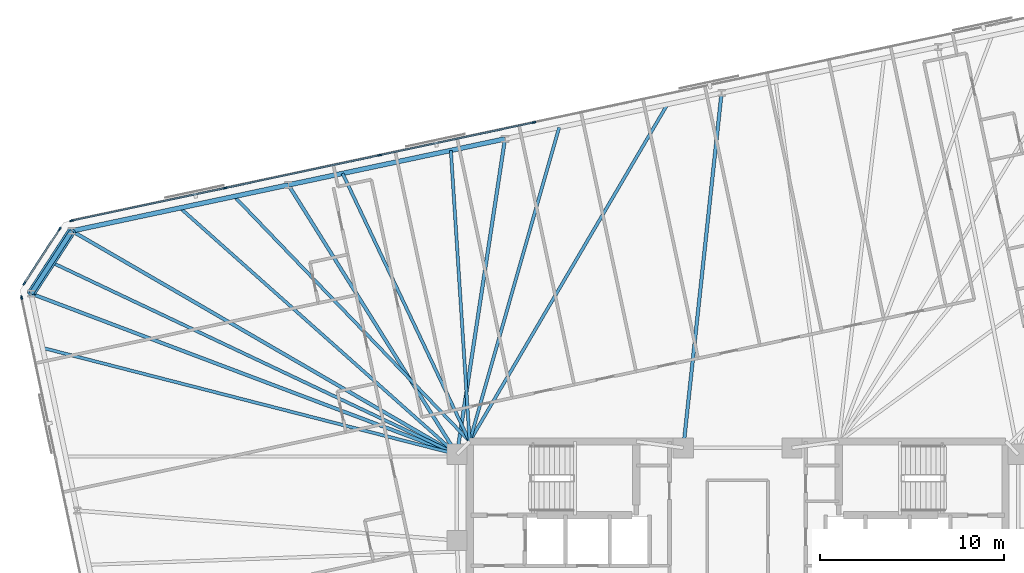
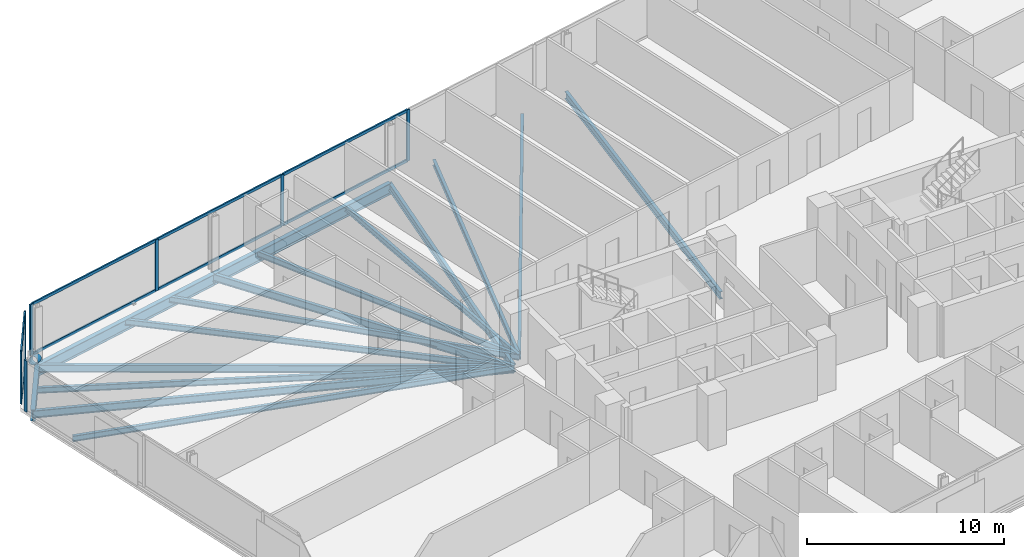
# One storey, part 9 of 21: 16 beams, 16 members, 3 elements without a shape of their own.
"""IFC4 building model written with IfcOpenShell, lengths in metres."""

from ifc_helpers import new_model, si_unit, direction, frame, origin, origin_2d, place, context, subcontext, project, spatial, rectangle, hollow_circle, i_section, extrude, material, material_profile, profile_set, type_object, element, aggregate, save


model = new_model("IFC4")

# Units and contexts
model_context = context("Model", 3, precision=1e-05, world=origin(), true_north=direction((0.0, 1.0)))
body_context = subcontext(model_context, "Body", "Model", "MODEL_VIEW")
ifc_project = project(units=[si_unit("LENGTHUNIT", "METRE"), si_unit("AREAUNIT", "SQUARE_METRE"), si_unit("VOLUMEUNIT", "CUBIC_METRE"), si_unit("PLANEANGLEUNIT", "RADIAN"), si_unit("MASSUNIT", "GRAM", prefix="KILO")], contexts=[model_context])

# Site, building, storey
site_placement = place(None, origin())
site = spatial("IfcSite", under=ifc_project, at=site_placement, CompositionType="ELEMENT")
building_placement = place(site_placement, origin())
building = spatial("IfcBuilding", under=site, at=building_placement, Name="Menara Jurai Vektor", CompositionType="ELEMENT")
storey_placement = place(building_placement, frame((0.0, 0.0, 168.39990234375)))
storey = spatial("IfcBuildingStorey", under=building, at=storey_placement, Name="L43", CompositionType="ELEMENT", Elevation=168.39990234375)

# Curtain wall, members
ifc_material_1 = material(Name="Anodised Pale Aluminium & Low-E Double Glazing", Category="aluminium")
curtain_wall_type = type_object("IfcCurtainWallType", Name="CW-BLK3", PredefinedType="NOTDEFINED", material=ifc_material_1)
curtain_wall_1_placement = place(storey_placement, origin())
curtain_wall_1 = element("IfcCurtainWall", 1, at=curtain_wall_1_placement, inside=storey, type_object=curtain_wall_type, Name="Unitised Curtain Wall L43 F05", PredefinedType="NOTDEFINED")
ifc_material_2 = material(Name="Anodised Pale Aluminium Mullion", Category="aluminium")
ifc_material_profile_1 = material_profile(ifc_material_2, rectangle(XDim=0.0849609375, YDim=0.205078125, at=origin_2d()), Name="ALU MUL 85x205")
ifc_profile_set_1 = profile_set([ifc_material_profile_1], Name="Anodised Pale Aluminium Mullion")
member_type_1 = type_object("IfcMemberType", Name="CW-BLK3-MUL", PredefinedType="MULLION", material=ifc_profile_set_1)
member_1_placement = place(storey_placement, frame((-11.06494140625, 22.9384765625, 0.0), z_axis=(0.0, 0.0, 1.0), x_axis=(0.207911344156, -0.978147674419, 0.0)))
member_1 = element("IfcMember", 2, at=member_1_placement, type_object=member_type_1, Name="CW-03 mullion 5", PredefinedType="MULLION", context=body_context, shape_type="SweptSolid", body=[
    extrude(rectangle(XDim=0.0849609375, YDim=0.205078125, at=origin_2d()), origin(), (0.0, 0.0, 1.0), 3.175048828125),
])
member_2_placement = place(storey_placement, frame((-19.45458984375, 21.1552734375, 0.0), z_axis=(0.0, 0.0, 1.0), x_axis=(0.207911344156, -0.978147674419, 0.0)))
member_2 = element("IfcMember", 3, at=member_2_placement, type_object=member_type_1, Name="CW-03 mullion 6", PredefinedType="MULLION", context=body_context, shape_type="SweptSolid", body=[
    extrude(rectangle(XDim=0.0849609375, YDim=0.205078125, at=origin_2d()), origin(), (0.0, 0.0, 1.0), 3.175048828125),
])
member_3_placement = place(storey_placement, frame((-27.844482421875, 19.3720703125, 0.0), z_axis=(0.0, 0.0, 1.0), x_axis=(0.207911344156, -0.978147674419, 0.0)))
member_3 = element("IfcMember", 4, at=member_3_placement, type_object=member_type_1, Name="CW-03 mullion 7", PredefinedType="MULLION", context=body_context, shape_type="SweptSolid", body=[
    extrude(rectangle(XDim=0.0849609375, YDim=0.205078125, at=origin_2d()), origin(), (0.0, 0.0, 1.0), 3.175048828125),
])
member_4_placement = place(storey_placement, frame((-36.192626953125, 17.59765625, 0.0), z_axis=(0.0, 0.0, 1.0), x_axis=(0.207911344156, -0.978147674419, 0.0)))
member_4 = element("IfcMember", 5, at=member_4_placement, type_object=member_type_1, Name="CW-03 mullion 8", PredefinedType="MULLION", context=body_context, shape_type="SweptSolid", body=[
    extrude(rectangle(XDim=0.0849609375, YDim=0.205078125, at=origin_2d()), origin(), (0.0, 0.0, 1.0), 3.175048828125),
])

curtain_wall_2_placement = place(storey_placement, origin())
curtain_wall_2 = element("IfcCurtainWall", 6, at=curtain_wall_2_placement, inside=storey, type_object=curtain_wall_type, Name="Unitised Curtain Wall L43 F06", PredefinedType="NOTDEFINED")
member_5_placement = place(storey_placement, frame((-36.8359375, 17.1552734375, 0.0), z_axis=(0.0, 0.0, 1.0), x_axis=(0.838684361415, -0.544617794346, 0.0)))
member_5 = element("IfcMember", 7, at=member_5_placement, type_object=member_type_1, Name="CW-03 mullion 1", PredefinedType="MULLION", context=body_context, shape_type="SweptSolid", body=[
    extrude(rectangle(XDim=0.0849609375, YDim=0.205078125, at=origin_2d()), origin(), (0.0, 0.0, 1.0), 3.175048828125),
])
member_6_placement = place(storey_placement, frame((-38.763427734375, 14.187255859375, 0.0), z_axis=(0.0, 0.0, 1.0), x_axis=(0.838684361415, -0.544617794346, 0.0)))
member_6 = element("IfcMember", 8, at=member_6_placement, type_object=member_type_1, Name="CW-03 mullion 2", PredefinedType="MULLION", context=body_context, shape_type="SweptSolid", body=[
    extrude(rectangle(XDim=0.0849609375, YDim=0.205078125, at=origin_2d()), origin(), (0.0, 0.0, 1.0), 3.175048828125),
])

# Curtain wall, member
curtain_wall_3_placement = place(storey_placement, origin())
curtain_wall_3 = element("IfcCurtainWall", 9, at=curtain_wall_3_placement, inside=storey, type_object=curtain_wall_type, Name="Unitised Curtain Wall L43 F07", PredefinedType="NOTDEFINED")
member_7_placement = place(storey_placement, frame((-38.90576171875, 13.419677734375, 0.0), z_axis=(0.0, 0.0, 1.0), x_axis=(0.978147883949, 0.20791035839, 0.0)))
member_7 = element("IfcMember", 10, at=member_7_placement, type_object=member_type_1, Name="CW-03 mullion 1", PredefinedType="MULLION", context=body_context, shape_type="SweptSolid", body=[
    extrude(rectangle(XDim=0.0849609375, YDim=0.205078125, at=origin_2d()), origin(), (0.0, 0.0, 1.0), 3.175048828125),
])
aggregate(curtain_wall_3, [member_7])

# Member
ifc_material_3 = material(Name="Anodised Pale Aluminium Transom", Category="aluminium")
ifc_material_profile_2 = material_profile(ifc_material_3, rectangle(XDim=0.0849609375, YDim=0.175048828125, at=origin_2d()), Name="ALU TRN 85x175")
ifc_profile_set_2 = profile_set([ifc_material_profile_2], Name="Anodised Pale Aluminium Transom")
member_type_2 = type_object("IfcMemberType", Name="CW-BLK3-TRN", PredefinedType="USERDEFINED", material=ifc_profile_set_2)
member_8_placement = place(storey_placement, frame((-11.1064453125, 22.9296875, 0.04248046875), z_axis=(-0.978147743708, -0.207911018178, 0.0), x_axis=(0.207911018178, -0.978147743708, 0.0)))
member_8 = element("IfcMember", 11, at=member_8_placement, type_object=member_type_2, Name="CW-03 transom 5.1", ObjectType="TRANSOM", PredefinedType="USERDEFINED", context=body_context, shape_type="SweptSolid", body=[
    extrude(rectangle(XDim=0.0849609375, YDim=0.175048828125, at=origin_2d()), origin(), (0.0, 0.0, 1.0), 8.4921875),
])

member_9_placement = place(storey_placement, frame((-11.1064453125, 22.9296875, 3.132568359375), z_axis=(-0.978147743708, -0.207911018178, 0.0), x_axis=(0.207911018178, -0.978147743708, 0.0)))
member_9 = element("IfcMember", 12, at=member_9_placement, type_object=member_type_2, Name="CW-03 transom 5.2", ObjectType="TRANSOM", PredefinedType="USERDEFINED", context=body_context, shape_type="SweptSolid", body=[
    extrude(rectangle(XDim=0.0849609375, YDim=0.175048828125, at=origin_2d()), origin(), (0.0, 0.0, 1.0), 8.4921875),
])

member_10_placement = place(storey_placement, frame((-19.496337890625, 21.146484375, 0.04248046875), z_axis=(-0.978146500933, -0.207916864907, 0.0), x_axis=(0.207916864907, -0.978146500933, 0.0)))
member_10 = element("IfcMember", 13, at=member_10_placement, type_object=member_type_2, Name="CW-03 transom 6.1", ObjectType="TRANSOM", PredefinedType="USERDEFINED", context=body_context, shape_type="SweptSolid", body=[
    extrude(rectangle(XDim=0.0849609375, YDim=0.175048828125, at=origin_2d()), origin(), (0.0, 0.0, 1.0), 8.491943359375),
])

member_11_placement = place(storey_placement, frame((-19.496337890625, 21.146484375, 3.132568359375), z_axis=(-0.978146500933, -0.207916864907, 0.0), x_axis=(0.207916864907, -0.978146500933, 0.0)))
member_11 = element("IfcMember", 14, at=member_11_placement, type_object=member_type_2, Name="CW-03 transom 6.2", ObjectType="TRANSOM", PredefinedType="USERDEFINED", context=body_context, shape_type="SweptSolid", body=[
    extrude(rectangle(XDim=0.0849609375, YDim=0.175048828125, at=origin_2d()), origin(), (0.0, 0.0, 1.0), 8.491943359375),
])

member_12_placement = place(storey_placement, frame((-27.885986328125, 19.363037109375, 0.04248046875), z_axis=(-0.978151580361, -0.207892967261, 0.0), x_axis=(0.207892967261, -0.978151580361, 0.0)))
member_12 = element("IfcMember", 15, at=member_12_placement, type_object=member_type_2, Name="CW-03 transom 7.1", ObjectType="TRANSOM", PredefinedType="USERDEFINED", context=body_context, shape_type="SweptSolid", body=[
    extrude(rectangle(XDim=0.0849609375, YDim=0.175048828125, at=origin_2d()), origin(), (0.0, 0.0, 1.0), 8.449462890625),
])

member_13_placement = place(storey_placement, frame((-27.885986328125, 19.363037109375, 3.132568359375), z_axis=(-0.978151580361, -0.207892967261, 0.0), x_axis=(0.207892967261, -0.978151580361, 0.0)))
member_13 = element("IfcMember", 16, at=member_13_placement, type_object=member_type_2, Name="CW-03 transom 7.2", ObjectType="TRANSOM", PredefinedType="USERDEFINED", context=body_context, shape_type="SweptSolid", body=[
    extrude(rectangle(XDim=0.0849609375, YDim=0.175048828125, at=origin_2d()), origin(), (0.0, 0.0, 1.0), 8.449462890625),
])

aggregate(curtain_wall_1, [member_1, member_2, member_3, member_4, member_8, member_9, member_10, member_11, member_12, member_13])

member_14_placement = place(storey_placement, frame((-36.859130859375, 17.11962890625, 0.04248046875), z_axis=(-0.54462804274, -0.83867770631, 0.0), x_axis=(0.83867770631, -0.54462804274, 0.0)))
member_14 = element("IfcMember", 17, at=member_14_placement, type_object=member_type_2, Name="CW-03 transom 1.1", ObjectType="TRANSOM", PredefinedType="USERDEFINED", context=body_context, shape_type="SweptSolid", body=[
    extrude(rectangle(XDim=0.0849609375, YDim=0.175048828125, at=origin_2d()), origin(), (0.0, 0.0, 1.0), 3.453857421875),
])

member_15_placement = place(storey_placement, frame((-36.859130859375, 17.11962890625, 3.132568359375), z_axis=(-0.54462804274, -0.83867770631, 0.0), x_axis=(0.83867770631, -0.54462804274, 0.0)))
member_15 = element("IfcMember", 18, at=member_15_placement, type_object=member_type_2, Name="CW-03 transom 1.2", ObjectType="TRANSOM", PredefinedType="USERDEFINED", context=body_context, shape_type="SweptSolid", body=[
    extrude(rectangle(XDim=0.0849609375, YDim=0.175048828125, at=origin_2d()), origin(), (0.0, 0.0, 1.0), 3.453857421875),
])

aggregate(curtain_wall_2, [member_5, member_6, member_14, member_15])

# Beams
ifc_material_4 = material(Name="Steel S355", Category="steel")
ifc_material_profile_3 = material_profile(ifc_material_4, i_section(OverallWidth=0.19091796875, OverallDepth=0.4599609375, WebThickness=0.010009765625, FlangeThickness=0.01611328125, FilletRadius=0.010009765625, at=origin_2d()), Name="UKB 457x191x82")
ifc_profile_set_3 = profile_set([ifc_material_profile_3], Name="Steel S355")
beam_type_1 = type_object("IfcBeamType", Name="STR-BM-457", PredefinedType="BEAM", material=ifc_profile_set_3)
beam_1_placement = place(storey_placement, frame((-0.87158203125, 24.54296875, -0.454833984375), z_axis=(-0.107107067506, -0.994247492373, 0.0), x_axis=(0.994247492373, -0.107107067506, 0.0)))
element("IfcBeam", 19, at=beam_1_placement, inside=storey, type_object=beam_type_1, Name="Radial Floor Girder L43-N3", PredefinedType="BEAM", context=body_context, shape_type="SweptSolid", body=[
    extrude(i_section(OverallWidth=0.19091796875, OverallDepth=0.4599609375, WebThickness=0.010009765625, FlangeThickness=0.01611328125, FilletRadius=0.010009765625, at=origin_2d()), origin(), (0.0, 0.0, 1.0), 19.404541015625),
])
beam_2_placement = place(storey_placement, frame((-12.639892578125, 22.04150390625, -0.454833984375), z_axis=(-0.150532344322, -0.988605084608, 0.0), x_axis=(0.988605084608, -0.150532344322, 0.0)))
element("IfcBeam", 20, at=beam_2_placement, inside=storey, type_object=beam_type_1, Name="Radial Floor Girder L43-N4", PredefinedType="BEAM", context=body_context, shape_type="SweptSolid", body=[
    extrude(i_section(OverallWidth=0.19091796875, OverallDepth=0.4599609375, WebThickness=0.010009765625, FlangeThickness=0.01611328125, FilletRadius=0.010009765625, at=origin_2d()), origin(), (0.0, 0.0, 1.0), 17.339111328125),
])
beam_3_placement = place(storey_placement, frame((-24.408203125, 19.5400390625, -0.454833984375), z_axis=(0.53033693414, -0.847786963976, 0.0), x_axis=(0.847786963976, 0.53033693414, 0.0)))
element("IfcBeam", 21, at=beam_3_placement, inside=storey, type_object=beam_type_1, Name="Radial Floor Girder L43-N5", PredefinedType="BEAM", context=body_context, shape_type="SweptSolid", body=[
    extrude(i_section(OverallWidth=0.19091796875, OverallDepth=0.4599609375, WebThickness=0.010009765625, FlangeThickness=0.01611328125, FilletRadius=0.010009765625, at=origin_2d()), origin(), (0.0, 0.0, 1.0), 17.2685546875),
])
beam_4_placement = place(storey_placement, frame((-36.17626953125, 17.038818359375, -0.454833984375), z_axis=(0.86500105453, -0.50177004261, 0.0), x_axis=(0.50177004261, 0.86500105453, 0.0)))
element("IfcBeam", 22, at=beam_4_placement, inside=storey, type_object=beam_type_1, Name="Radial Floor Girder L43-N6", PredefinedType="BEAM", context=body_context, shape_type="SweptSolid", body=[
    extrude(i_section(OverallWidth=0.19091796875, OverallDepth=0.4599609375, WebThickness=0.010009765625, FlangeThickness=0.01611328125, FilletRadius=0.010009765625, at=origin_2d()), origin(), (0.0, 0.0, 1.0), 24.192138671875),
])
beam_5_placement = place(storey_placement, frame((-38.388671875, 13.632080078125, -0.454833984375), z_axis=(0.935593658977, -0.353078610626, 0.0), x_axis=(0.353078610626, 0.935593658977, 0.0)))
element("IfcBeam", 23, at=beam_5_placement, inside=storey, type_object=beam_type_1, Name="Radial Floor Girder L43-W1", PredefinedType="BEAM", context=body_context, shape_type="SweptSolid", body=[
    extrude(i_section(OverallWidth=0.19091796875, OverallDepth=0.4599609375, WebThickness=0.010009765625, FlangeThickness=0.01611328125, FilletRadius=0.010009765625, at=origin_2d()), origin(), (0.0, 0.0, 1.0), 24.7314453125),
])

# Member
ifc_material_5 = material(Name="Steel S460", Category="steel")
ifc_material_profile_4 = material_profile(ifc_material_5, hollow_circle(Radius=0.228515625, WallThickness=0.01611328125, at=origin_2d()), Name="CHS 457x16")
ifc_profile_set_4 = profile_set([ifc_material_profile_4], Name="Steel S460")
member_type_3 = type_object("IfcMemberType", Name="STR-BR-457", PredefinedType="BRACE", material=ifc_profile_set_4)
member_16_placement = place(storey_placement, frame((-36.17626953125, 17.03857421875, 0.150146484375), z_axis=(-0.454887866849, -0.700402825662, 0.5500117366), x_axis=(0.838648168484, -0.544673525608, 0.0)))
element("IfcMember", 24, at=member_16_placement, inside=storey, type_object=member_type_3, Name="Exoskeleton Corner Brace L43-3", PredefinedType="BRACE", context=body_context, shape_type="SweptSolid", body=[
    extrude(hollow_circle(Radius=0.228515625, WallThickness=0.01611328125, at=origin_2d()), origin(), (0.0, 0.0, 1.0), 4.863525390625),
])

# Beams
ifc_material_profile_5 = material_profile(ifc_material_4, i_section(OverallWidth=0.172119140625, OverallDepth=0.35498046875, WebThickness=0.007080078125, FlangeThickness=0.011962890625, FilletRadius=0.010009765625, at=origin_2d()), Name="UKB 356x171x51")
ifc_profile_set_5 = profile_set([ifc_material_profile_5], Name="Steel S355")
beam_type_2 = type_object("IfcBeamType", Name="STR-JS-356", PredefinedType="JOIST", material=ifc_profile_set_5)
beam_6_placement = place(storey_placement, frame((-3.813720703125, 23.91748046875, -0.40234375), z_axis=(-0.506019514775, -0.862522029091, 0.0), x_axis=(0.862522029091, -0.506019514775, 0.0)))
element("IfcBeam", 25, at=beam_6_placement, inside=storey, type_object=beam_type_2, Name="Radial Secondary Floor Joist L43-JS22", PredefinedType="JOIST", context=body_context, shape_type="SweptSolid", body=[
    extrude(i_section(OverallWidth=0.172119140625, OverallDepth=0.35498046875, WebThickness=0.007080078125, FlangeThickness=0.011962890625, FilletRadius=0.010009765625, at=origin_2d()), origin(), (0.0, 0.0, 1.0), 21.237060546875),
])
beam_7_placement = place(storey_placement, frame((-9.69775390625, 22.666748046875, -0.40234375), z_axis=(-0.273997863708, -0.961730300387, 0.0), x_axis=(0.961730300387, -0.273997863708, 0.0)))
element("IfcBeam", 26, at=beam_7_placement, inside=storey, type_object=beam_type_2, Name="Radial Secondary Floor Joist L43-JS23", PredefinedType="JOIST", context=body_context, shape_type="SweptSolid", body=[
    extrude(i_section(OverallWidth=0.172119140625, OverallDepth=0.35498046875, WebThickness=0.007080078125, FlangeThickness=0.011962890625, FilletRadius=0.010009765625, at=origin_2d()), origin(), (0.0, 0.0, 1.0), 17.745849609375),
])
beam_8_placement = place(storey_placement, frame((-15.581787109375, 21.416015625, -0.40234375), z_axis=(0.064466897528, -0.997919846041, 0.0), x_axis=(0.997919846041, 0.064466897528, 0.0)))
element("IfcBeam", 27, at=beam_8_placement, inside=storey, type_object=beam_type_2, Name="Radial Secondary Floor Joist L43-JS24", PredefinedType="JOIST", context=body_context, shape_type="SweptSolid", body=[
    extrude(i_section(OverallWidth=0.172119140625, OverallDepth=0.35498046875, WebThickness=0.007080078125, FlangeThickness=0.011962890625, FilletRadius=0.010009765625, at=origin_2d()), origin(), (0.0, 0.0, 1.0), 15.848876953125),
])
beam_9_placement = place(storey_placement, frame((-21.466064453125, 20.165283203125, -0.40234375), z_axis=(0.428426167333, -0.903576792057, 0.0), x_axis=(0.903576792057, 0.428426167333, 0.0)))
element("IfcBeam", 28, at=beam_9_placement, inside=storey, type_object=beam_type_2, Name="Radial Secondary Floor Joist L43-JS25", PredefinedType="JOIST", context=body_context, shape_type="SweptSolid", body=[
    extrude(i_section(OverallWidth=0.172119140625, OverallDepth=0.35498046875, WebThickness=0.007080078125, FlangeThickness=0.011962890625, FilletRadius=0.010009765625, at=origin_2d()), origin(), (0.0, 0.0, 1.0), 16.119384765625),
])
beam_10_placement = place(storey_placement, frame((-27.35009765625, 18.914794921875, -0.40234375), z_axis=(0.692755307066, -0.721172714772, 0.0), x_axis=(0.721172714772, 0.692755307066, 0.0)))
element("IfcBeam", 29, at=beam_10_placement, inside=storey, type_object=beam_type_2, Name="Radial Secondary Floor Joist L43-JS26", PredefinedType="JOIST", context=body_context, shape_type="SweptSolid", body=[
    extrude(i_section(OverallWidth=0.172119140625, OverallDepth=0.35498046875, WebThickness=0.007080078125, FlangeThickness=0.011962890625, FilletRadius=0.010009765625, at=origin_2d()), origin(), (0.0, 0.0, 1.0), 18.462646484375),
])
beam_11_placement = place(storey_placement, frame((-30.292236328125, 18.289306640625, -0.40234375), z_axis=(0.746952302948, -0.664877625673, 0.0), x_axis=(0.664877625673, 0.746952302948, 0.0)))
element("IfcBeam", 30, at=beam_11_placement, inside=storey, type_object=beam_type_2, Name="Radial Secondary Floor Joist L43-JS27", PredefinedType="JOIST", context=body_context, shape_type="SweptSolid", body=[
    extrude(i_section(OverallWidth=0.172119140625, OverallDepth=0.35498046875, WebThickness=0.007080078125, FlangeThickness=0.011962890625, FilletRadius=0.010009765625, at=origin_2d()), origin(), (0.0, 0.0, 1.0), 20.13818359375),
])
beam_12_placement = place(storey_placement, frame((-37.282470703125, 15.33544921875, -0.40234375), z_axis=(0.903751908448, -0.428056641085, 0.0), x_axis=(0.428056641085, 0.903751908448, 0.0)))
element("IfcBeam", 31, at=beam_12_placement, inside=storey, type_object=beam_type_2, Name="Radial Secondary Floor Joist L43-JS28", PredefinedType="JOIST", context=body_context, shape_type="SweptSolid", body=[
    extrude(i_section(OverallWidth=0.172119140625, OverallDepth=0.35498046875, WebThickness=0.007080078125, FlangeThickness=0.011962890625, FilletRadius=0.010009765625, at=origin_2d()), origin(), (0.0, 0.0, 1.0), 24.37890625),
])
beam_13_placement = place(storey_placement, frame((-37.76220703125, 10.68505859375, -0.40234375), z_axis=(0.968531283953, -0.248891848005, 0.0), x_axis=(0.248891848005, 0.968531283953, 0.0)))
element("IfcBeam", 32, at=beam_13_placement, inside=storey, type_object=beam_type_2, Name="Radial Secondary Floor Joist L43-JS29", PredefinedType="JOIST", context=body_context, shape_type="SweptSolid", body=[
    extrude(i_section(OverallWidth=0.172119140625, OverallDepth=0.35498046875, WebThickness=0.007080078125, FlangeThickness=0.011962890625, FilletRadius=0.010009765625, at=origin_2d()), origin(), (0.0, 0.0, 1.0), 23.24365234375),
])
ifc_material_profile_6 = material_profile(ifc_material_5, i_section(OverallWidth=0.256103515625, OverallDepth=0.693115234375, WebThickness=0.013916015625, FlangeThickness=0.02392578125, FilletRadius=0.014892578125, at=origin_2d()), Name="UKB 686x254x170")
ifc_profile_set_6 = profile_set([ifc_material_profile_6], Name="Steel S460")
beam_type_3 = type_object("IfcBeamType", Name="STR-SP-686", PredefinedType="SPANDREL", material=ifc_profile_set_6)
beam_14_placement = place(storey_placement, frame((-12.639892578125, 22.04150390625, -0.5712890625), z_axis=(-0.978147039247, -0.207914332389, 0.0), x_axis=(0.207914332389, -0.978147039247, 0.0)))
element("IfcBeam", 33, at=beam_14_placement, inside=storey, type_object=beam_type_3, Name="Exoskeleton Spandrel Beam L43-14", PredefinedType="SPANDREL", context=body_context, shape_type="SweptSolid", body=[
    extrude(i_section(OverallWidth=0.256103515625, OverallDepth=0.693115234375, WebThickness=0.013916015625, FlangeThickness=0.02392578125, FilletRadius=0.014892578125, at=origin_2d()), origin(), (0.0, 0.0, 1.0), 12.03125),
])
beam_15_placement = place(storey_placement, frame((-24.408203125, 19.5400390625, -0.5712890625), z_axis=(-0.978150288855, -0.207899043801, 0.0), x_axis=(0.207899043801, -0.978150288855, 0.0)))
element("IfcBeam", 34, at=beam_15_placement, inside=storey, type_object=beam_type_3, Name="Exoskeleton Spandrel Beam L43-15", PredefinedType="SPANDREL", context=body_context, shape_type="SweptSolid", body=[
    extrude(i_section(OverallWidth=0.256103515625, OverallDepth=0.693115234375, WebThickness=0.013916015625, FlangeThickness=0.02392578125, FilletRadius=0.014892578125, at=origin_2d()), origin(), (0.0, 0.0, 1.0), 12.031005859375),
])
beam_16_placement = place(storey_placement, frame((-36.17626953125, 17.038818359375, -0.5712890625), z_axis=(-0.544646071268, -0.838665998507, 0.0), x_axis=(0.838665998507, -0.544646071268, 0.0)))
element("IfcBeam", 35, at=beam_16_placement, inside=storey, type_object=beam_type_3, Name="Exoskeleton Spandrel Beam L43-16", PredefinedType="SPANDREL", context=body_context, shape_type="SweptSolid", body=[
    extrude(i_section(OverallWidth=0.256103515625, OverallDepth=0.693115234375, WebThickness=0.013916015625, FlangeThickness=0.02392578125, FilletRadius=0.014892578125, at=origin_2d()), origin(), (0.0, 0.0, 1.0), 4.06201171875),
])

save(model, "model.ifc")
